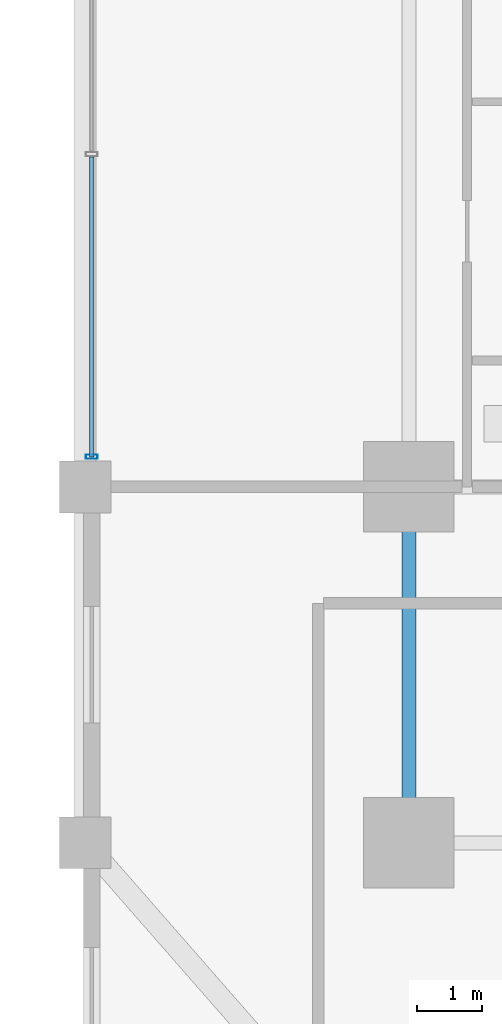
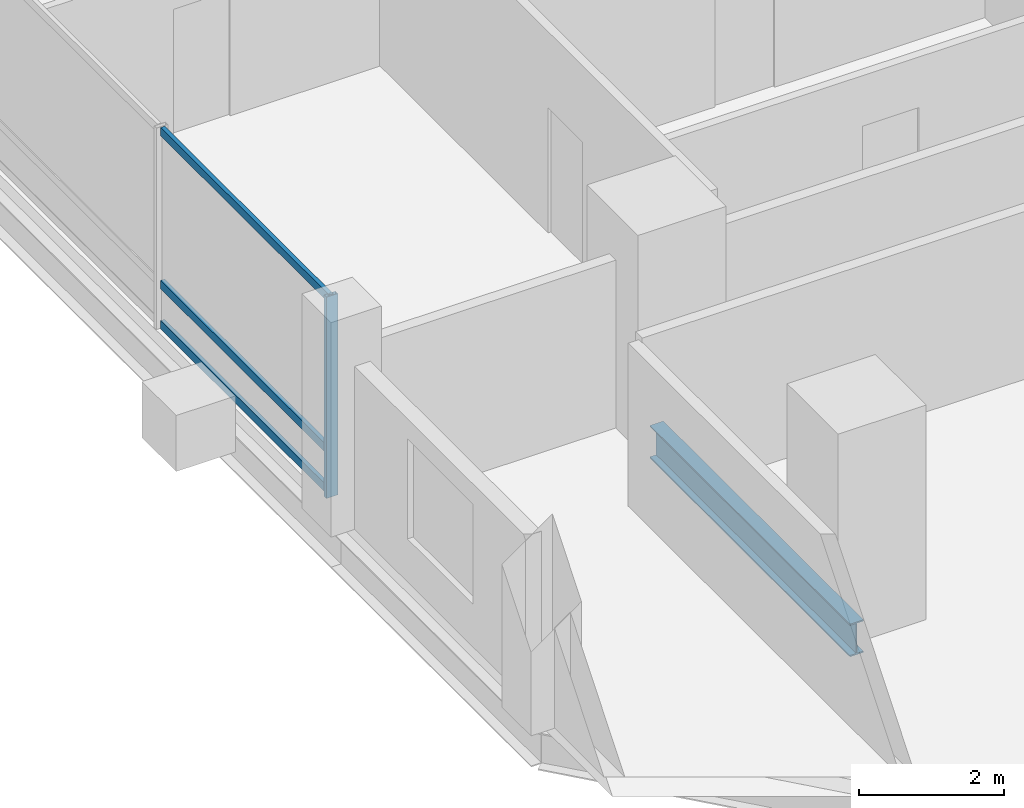
# One storey, part 4 of 23: 4 members, 1 beam, 1 element without a shape of its own.
"""IFC4 building model written with IfcOpenShell, lengths in metres."""

from ifc_helpers import new_model, si_unit, direction, frame, origin, origin_2d, place, context, subcontext, project, spatial, hollow_rectangle, i_section, extrude, material, layer, layer_set, material_profile, profile_set, type_object, element, aggregate, save


model = new_model("IFC4")

# Units and contexts
model_context = context("Model", 3, precision=1e-05, world=origin(), true_north=direction((0.0, 1.0)))
body_context = subcontext(model_context, "Body", "Model", "MODEL_VIEW")
ifc_project = project(units=[si_unit("LENGTHUNIT", "METRE"), si_unit("AREAUNIT", "SQUARE_METRE"), si_unit("VOLUMEUNIT", "CUBIC_METRE"), si_unit("PLANEANGLEUNIT", "RADIAN"), si_unit("MASSUNIT", "GRAM", prefix="KILO")], contexts=[model_context])

# Site, building, storey
site_placement = place(None, origin())
site = spatial("IfcSite", under=ifc_project, at=site_placement, CompositionType="ELEMENT")
building_placement = place(site_placement, origin())
building = spatial("IfcBuilding", under=site, at=building_placement, Name="Barlavira Tower and Art Museum", CompositionType="ELEMENT")
storey_placement = place(building_placement, frame((0.0, 0.0, 75.60009765625)))
storey = spatial("IfcBuildingStorey", under=building, at=storey_placement, Name="L18", CompositionType="ELEMENT", Elevation=75.60009765625)

# Curtain wall, members
ifc_material_1 = material(Name="Low-iron coastal laminated glass", Category="glass")
ifc_layer = layer(ifc_material_1, 0.179931640625, Name="Low-iron coastal laminated glass")
ifc_layer_set = layer_set([ifc_layer], Name="Low-iron coastal laminated glass")
curtain_wall_type = type_object("IfcCurtainWallType", Name="Pale-Metal Unitised Curtain Wall Zone 1", PredefinedType="NOTDEFINED", material=ifc_layer_set)
curtain_wall_placement = place(storey_placement, origin())
curtain_wall = element("IfcCurtainWall", 1, at=curtain_wall_placement, inside=storey, type_object=curtain_wall_type, Name="L18 Curtain Wall CW1-L18-W-B3", PredefinedType="NOTDEFINED")
ifc_material_2 = material(Name="Pale anodised aluminium", Category="aluminium")
ifc_material_profile_1 = material_profile(ifc_material_2, hollow_rectangle(XDim=0.06494140625, YDim=0.179931640625, WallThickness=0.00390625, at=origin_2d()), Name="ALU-MULL 65x180x4")
ifc_profile_set_1 = profile_set([ifc_material_profile_1], Name="Pale anodised aluminium")
member_type_1 = type_object("IfcMemberType", Name="Curtain Wall Pale-Metal Mullion 65x180", PredefinedType="MULLION", material=ifc_profile_set_1)
member_1_placement = place(storey_placement, frame((-21.89990234375, -7.034912109375, 0.0), z_axis=(0.0, 0.0, 1.0), x_axis=(0.0, -1.0, 0.0)))
member_1 = element("IfcMember", 2, at=member_1_placement, type_object=member_type_1, Name="CW1-L18-W-B3 Mullion 3", PredefinedType="MULLION", context=body_context, shape_type="SweptSolid", body=[
    extrude(hollow_rectangle(XDim=0.06494140625, YDim=0.179931640625, WallThickness=0.00390625, at=origin_2d()), origin(), (0.0, 0.0, 1.0), 3.3798828125),
])
ifc_material_profile_2 = material_profile(ifc_material_2, hollow_rectangle(XDim=0.06494140625, YDim=0.139892578125, WallThickness=0.00390625, at=origin_2d()), Name="ALU-TRAN 65x140x4")
ifc_profile_set_2 = profile_set([ifc_material_profile_2], Name="Pale anodised aluminium")
member_type_2 = type_object("IfcMemberType", Name="Curtain Wall Pale-Metal Transom 65x140", PredefinedType="USERDEFINED", material=ifc_profile_set_2)
member_2_placement = place(storey_placement, frame((-21.89990234375, -2.405029296875, 0.06982421875), z_axis=(0.0, -1.0, 0.0), x_axis=(1.0, 0.0, 0.0)))
member_2 = element("IfcMember", 3, at=member_2_placement, type_object=member_type_2, Name="CW1-L18-W-B3 Transom 2.1", ObjectType="TRANSOM", PredefinedType="USERDEFINED", context=body_context, shape_type="SweptSolid", body=[
    extrude(hollow_rectangle(XDim=0.06494140625, YDim=0.139892578125, WallThickness=0.00390625, at=origin_2d()), origin(), (0.0, 0.0, 1.0), 4.6298828125),
])
member_3_placement = place(storey_placement, frame((-21.89990234375, -2.405029296875, 0.743896484375), z_axis=(0.0, -1.0, 0.0), x_axis=(1.0, 0.0, 0.0)))
member_3 = element("IfcMember", 4, at=member_3_placement, type_object=member_type_2, Name="CW1-L18-W-B3 Transom 2.2", ObjectType="TRANSOM", PredefinedType="USERDEFINED", context=body_context, shape_type="SweptSolid", body=[
    extrude(hollow_rectangle(XDim=0.06494140625, YDim=0.139892578125, WallThickness=0.00390625, at=origin_2d()), origin(), (0.0, 0.0, 1.0), 4.6298828125),
])
member_4_placement = place(storey_placement, frame((-21.89990234375, -2.405029296875, 3.309814453125), z_axis=(0.0, -1.0, 0.0), x_axis=(1.0, 0.0, 0.0)))
member_4 = element("IfcMember", 5, at=member_4_placement, type_object=member_type_2, Name="CW1-L18-W-B3 Transom 2.3", ObjectType="TRANSOM", PredefinedType="USERDEFINED", context=body_context, shape_type="SweptSolid", body=[
    extrude(hollow_rectangle(XDim=0.06494140625, YDim=0.139892578125, WallThickness=0.00390625, at=origin_2d()), origin(), (0.0, 0.0, 1.0), 4.6298828125),
])
aggregate(curtain_wall, [member_1, member_2, member_3, member_4])

# Beam
ifc_material_3 = material(Name="Steel S355", Category="steel")
ifc_material_profile_3 = material_profile(ifc_material_3, i_section(OverallWidth=0.214111328125, OverallDepth=0.549072265625, WebThickness=0.0146484375, FlangeThickness=0.023681640625, at=origin_2d()), Name="W530x138.0")
ifc_profile_set_3 = profile_set([ifc_material_profile_3], Name="Steel S355")
beam_type = type_object("IfcBeamType", Name="Zone 1 Primary Floor Girder W530x138 Steel S355", PredefinedType="BEAM", material=ifc_profile_set_3)
beam_placement = place(storey_placement, frame((-17.0, -13.0, -0.49462890625), z_axis=(0.0, 1.0, 0.0), x_axis=(-1.0, 0.0, 0.0)))
element("IfcBeam", 6, at=beam_placement, inside=storey, type_object=beam_type, Name="L18 Girder M-W1", PredefinedType="BEAM", context=body_context, shape_type="SweptSolid", body=[
    extrude(i_section(OverallWidth=0.214111328125, OverallDepth=0.549072265625, WebThickness=0.0146484375, FlangeThickness=0.023681640625, at=origin_2d()), origin(), (0.0, 0.0, 1.0), 5.5),
])

save(model, "model.ifc")
